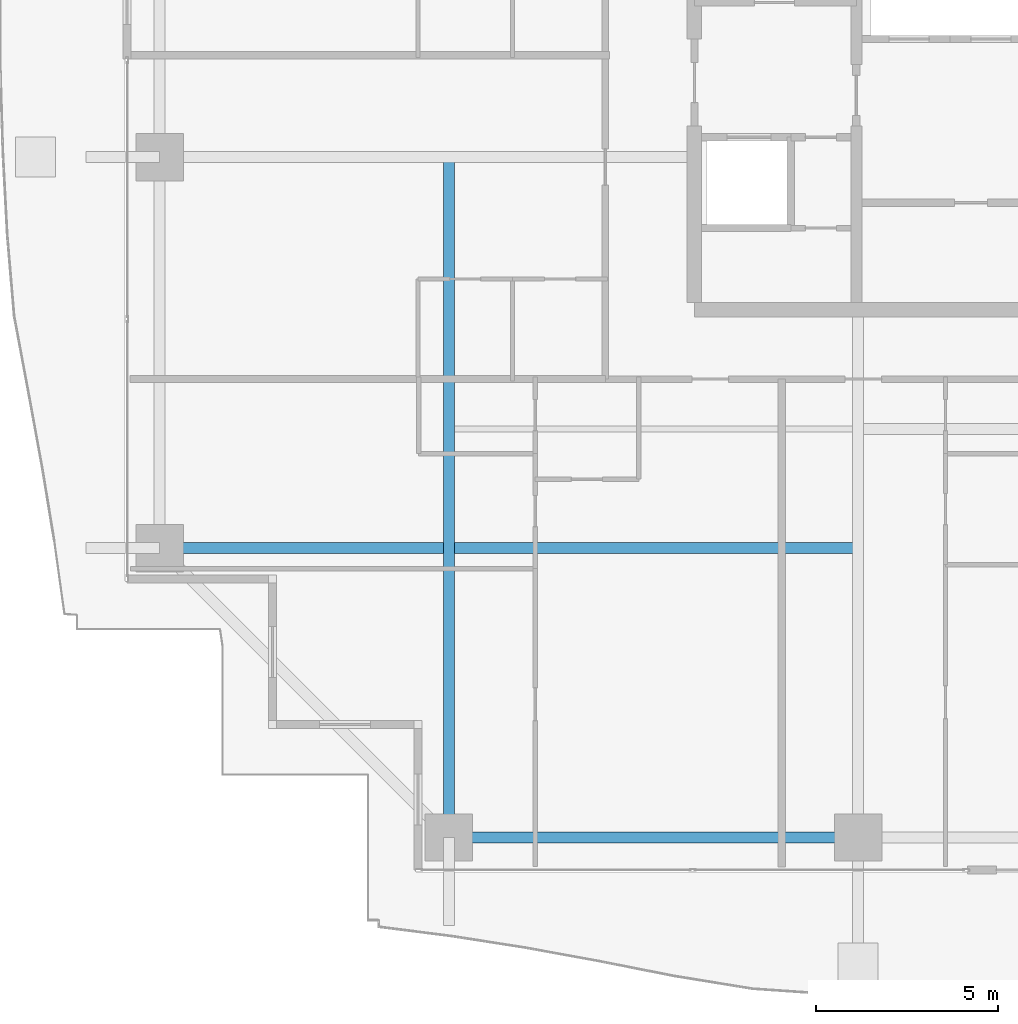
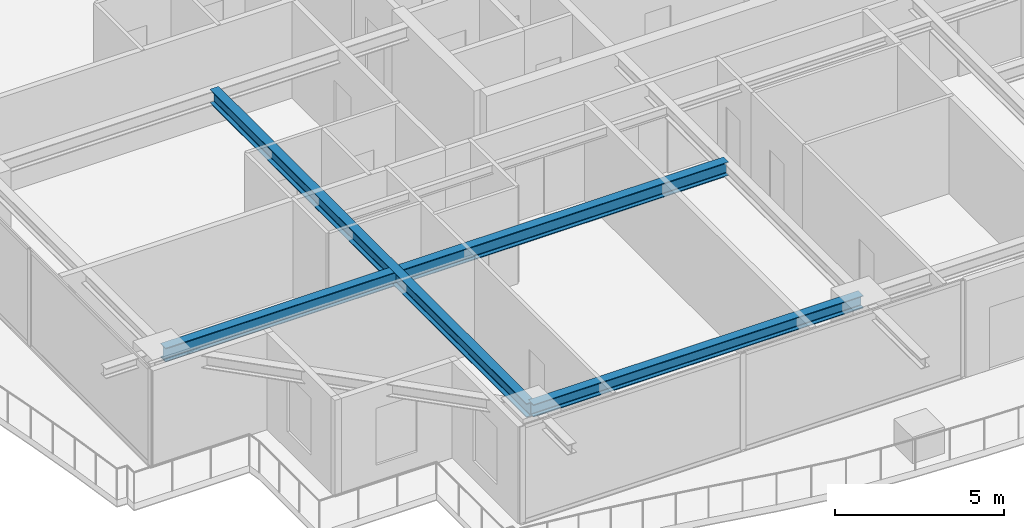
# One storey, part 4 of 35: 3 beams.
"""IFC4 building model written with IfcOpenShell, lengths in metres."""

from ifc_helpers import new_model, si_unit, direction, frame, origin, origin_2d, place, context, subcontext, project, spatial, i_section, extrude, source, transform, mapped, material, material_profile, profile_set, type_object, element, save


model = new_model("IFC4")

# Units and contexts
model_context = context("Model", 3, precision=1e-05, world=origin(), true_north=direction((0.0, 1.0)))
body_context = subcontext(model_context, "Body", "Model", "MODEL_VIEW")
ifc_project = project(units=[si_unit("LENGTHUNIT", "METRE"), si_unit("AREAUNIT", "SQUARE_METRE"), si_unit("VOLUMEUNIT", "CUBIC_METRE"), si_unit("PLANEANGLEUNIT", "RADIAN"), si_unit("MASSUNIT", "GRAM", prefix="KILO")], contexts=[model_context])

# Site, building, storey
site_placement = place(None, origin())
site = spatial("IfcSite", under=ifc_project, at=site_placement, CompositionType="ELEMENT")
building_placement = place(site_placement, origin())
building = spatial("IfcBuilding", under=site, at=building_placement, Name="Serunith Strait Residences", CompositionType="ELEMENT")
storey_placement = place(building_placement, frame((0.0, 0.0, 172.64990234375)))
storey = spatial("IfcBuildingStorey", under=building, at=storey_placement, Name="L43", CompositionType="ELEMENT", Elevation=172.64990234375)

# Beams
ifc_material = material(Name="Steel S355J2", Category="steel")
ifc_material_profile_1 = material_profile(ifc_material, i_section(OverallWidth=0.300048828125, OverallDepth=0.5, WebThickness=0.014404296875, FlangeThickness=0.028076171875, FilletRadius=0.027099609375, at=origin_2d()), Name="HEB 500")
ifc_profile_set_1 = profile_set([ifc_material_profile_1], Name="Steel S355J2")
beam_type_1 = type_object("IfcBeamType", Name="BM-HEB500", PredefinedType="BEAM", material=ifc_profile_set_1)
shared_shape_1 = source(origin(), body_context, "Body", "SweptSolid", [
    extrude(i_section(OverallWidth=0.300048828125, OverallDepth=0.5, WebThickness=0.014404296875, FlangeThickness=0.028076171875, FilletRadius=0.027099609375, at=origin_2d()), origin(), (0.0, 0.0, 1.0), 18.699951171875),
])
beam_1_placement = place(storey_placement, frame((16.64990234375, 21.0, 3.237060546875), z_axis=(0.0, -1.0, 0.0), x_axis=(1.0, 0.0, 0.0)))
element("IfcBeam", 1, at=beam_1_placement, inside=storey, type_object=beam_type_1, Name="L43 Orthogonal Corner Girder TC-S1", PredefinedType="BEAM", context=body_context, shape_type="MappedRepresentation", body=[
    mapped(shared_shape_1, transform((0.0, 0.0, 0.0), scale=1.0)),
])
shared_shape_2 = source(origin(), body_context, "Body", "SweptSolid", [
    extrude(i_section(OverallWidth=0.300048828125, OverallDepth=0.5, WebThickness=0.014404296875, FlangeThickness=0.028076171875, FilletRadius=0.027099609375, at=origin_2d()), origin(), (0.0, 0.0, 1.0), 19.199951171875),
])
beam_2_placement = place(storey_placement, frame((27.89990234375, 10.25, 3.237060546875), z_axis=(-1.0, 0.0, 0.0), x_axis=(0.0, -1.0, 0.0)))
element("IfcBeam", 2, at=beam_2_placement, inside=storey, type_object=beam_type_1, Name="L43 Orthogonal Corner Girder TC-W1", PredefinedType="BEAM", context=body_context, shape_type="MappedRepresentation", body=[
    mapped(shared_shape_2, transform((0.0, 0.0, 0.0), scale=1.0)),
])
ifc_material_profile_2 = material_profile(ifc_material, i_section(OverallWidth=0.300048828125, OverallDepth=0.449951171875, WebThickness=0.013916015625, FlangeThickness=0.02587890625, FilletRadius=0.027099609375, at=origin_2d()), Name="HEB 450")
ifc_profile_set_2 = profile_set([ifc_material_profile_2], Name="Steel S355J2")
beam_type_2 = type_object("IfcBeamType", Name="BM-HEB450", PredefinedType="BEAM", material=ifc_profile_set_2)
shared_shape_3 = source(origin(), body_context, "Body", "SweptSolid", [
    extrude(i_section(OverallWidth=0.300048828125, OverallDepth=0.449951171875, WebThickness=0.013916015625, FlangeThickness=0.02587890625, FilletRadius=0.027099609375, at=origin_2d()), origin(), (0.0, 0.0, 1.0), 11.25),
])
beam_3_placement = place(storey_placement, frame((16.64990234375, 2.300048828125, 3.26220703125), z_axis=(1.0, 0.0, 0.0), x_axis=(0.0, 1.0, 0.0)))
element("IfcBeam", 3, at=beam_3_placement, inside=storey, type_object=beam_type_2, Name="L43 Perimeter Ring Beam 01", PredefinedType="BEAM", context=body_context, shape_type="MappedRepresentation", body=[
    mapped(shared_shape_3, transform((0.0, 0.0, 0.0), scale=1.0)),
])

save(model, "model.ifc")
